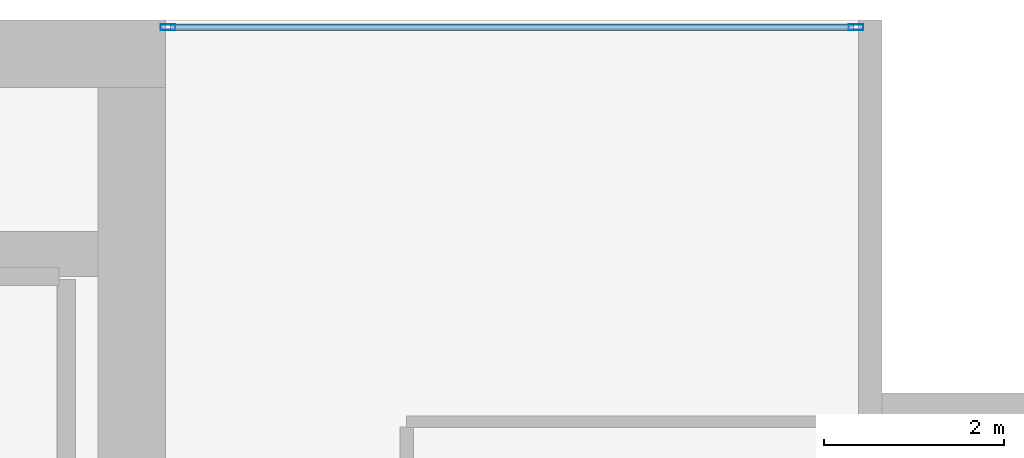
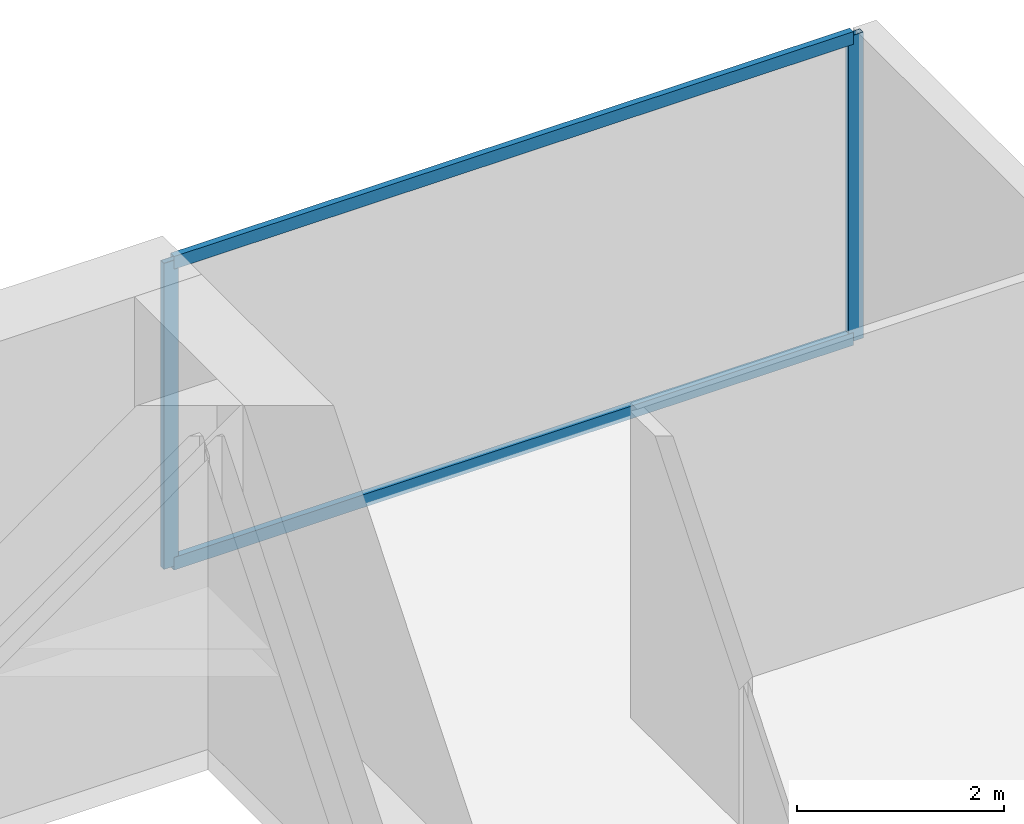
# One storey, part 25 of 34: 4 members, 1 element without a shape of its own.
"""IFC4 building model written with IfcOpenShell, lengths in metres."""

from ifc_helpers import new_model, si_unit, direction, frame, origin, origin_2d, place, context, subcontext, project, spatial, hollow_rectangle, extrude, material, layer, layer_set, material_profile, profile_set, type_object, element, aggregate, save


model = new_model("IFC4")

# Units and contexts
model_context = context("Model", 3, precision=1e-05, world=origin(), true_north=direction((0.0, 1.0)))
body_context = subcontext(model_context, "Body", "Model", "MODEL_VIEW")
ifc_project = project(units=[si_unit("LENGTHUNIT", "METRE"), si_unit("AREAUNIT", "SQUARE_METRE"), si_unit("VOLUMEUNIT", "CUBIC_METRE"), si_unit("PLANEANGLEUNIT", "RADIAN"), si_unit("MASSUNIT", "GRAM", prefix="KILO")], contexts=[model_context])

# Site, building, storey
site_placement = place(None, origin())
site = spatial("IfcSite", under=ifc_project, at=site_placement, CompositionType="ELEMENT")
building_placement = place(site_placement, origin())
building = spatial("IfcBuilding", under=site, at=building_placement, Name="Maruvema Waterfront Hotel and Observation Tower", CompositionType="ELEMENT")
storey_placement = place(building_placement, frame((0.0, 0.0, 131.25)))
storey = spatial("IfcBuildingStorey", under=building, at=storey_placement, Name="L31", CompositionType="ELEMENT", Elevation=131.25)

# Curtain wall, members
ifc_material_1 = material(Name="Anodised bronze aluminium and solar-control low-E IGU", Category="aluminium")
ifc_layer = layer(ifc_material_1, 0.159912109375, Name="Zone 2 Amber Inner Thermal Curtain Wall System CW-03")
ifc_layer_set = layer_set([ifc_layer], Name="Anodised bronze aluminium and solar-control low-E IGU")
curtain_wall_type = type_object("IfcCurtainWallType", Name="Zone 2 Amber Inner Thermal Curtain Wall System CW-03", PredefinedType="USERDEFINED", material=ifc_layer_set)
curtain_wall_placement = place(storey_placement, origin())
curtain_wall = element("IfcCurtainWall", 1, at=curtain_wall_placement, inside=storey, type_object=curtain_wall_type, Name="L31 Curtain Wall CW-L31-NE", ObjectType="UNITISED CURTAIN WALL", PredefinedType="USERDEFINED")
ifc_material_2 = material(Name="Anodised architectural bronze aluminium", Category="aluminium")
ifc_material_profile_1 = material_profile(ifc_material_2, hollow_rectangle(XDim=0.070068359375, YDim=0.14990234375, WallThickness=0.00390625, at=origin_2d()), Name="ALU-T70x150")
ifc_profile_set_1 = profile_set([ifc_material_profile_1], Name="Anodised architectural bronze aluminium")
member_type_1 = type_object("IfcMemberType", Name="Curtain Wall Horizontal Transom ALU-T70x150", PredefinedType="USERDEFINED", material=ifc_profile_set_1)
member_1_placement = place(storey_placement, frame((58.0400390625, 53.919921875, 0.030029296875), z_axis=(-1.0, 0.0, 0.0), x_axis=(0.0, -1.0, 0.0)))
member_1 = element("IfcMember", 2, at=member_1_placement, type_object=member_type_1, Name="CW-03 transom 1.1", ObjectType="TRANSOM", PredefinedType="USERDEFINED", context=body_context, shape_type="SweptSolid", body=[
    extrude(hollow_rectangle(XDim=0.070068359375, YDim=0.14990234375, WallThickness=0.00390625, at=origin_2d()), origin(), (0.0, 0.0, 1.0), 7.580078125),
])
member_2_placement = place(storey_placement, frame((58.0400390625, 53.919921875, 3.580078125), z_axis=(-1.0, 0.0, 0.0), x_axis=(0.0, -1.0, 0.0)))
member_2 = element("IfcMember", 3, at=member_2_placement, type_object=member_type_1, Name="CW-03 transom 1.2", ObjectType="TRANSOM", PredefinedType="USERDEFINED", context=body_context, shape_type="SweptSolid", body=[
    extrude(hollow_rectangle(XDim=0.070068359375, YDim=0.14990234375, WallThickness=0.00390625, at=origin_2d()), origin(), (0.0, 0.0, 1.0), 7.580078125),
])
ifc_material_3 = material(Name="Anodised architectural bronze aluminium", Category="aluminium")
ifc_material_profile_2 = material_profile(ifc_material_3, hollow_rectangle(XDim=0.06494140625, YDim=0.1650390625, WallThickness=0.00390625, at=origin_2d()), Name="ALU-M65x165")
ifc_profile_set_2 = profile_set([ifc_material_profile_2], Name="Anodised architectural bronze aluminium")
member_type_2 = type_object("IfcMemberType", Name="Curtain Wall Primary Mullion ALU-M65x165", PredefinedType="MULLION", material=ifc_profile_set_2)
member_3_placement = place(storey_placement, frame((58.070068359375, 53.919921875, 0.0), z_axis=(0.0, 0.0, 1.0), x_axis=(0.0, -1.0, 0.0)))
member_3 = element("IfcMember", 4, at=member_3_placement, type_object=member_type_2, Name="CW-03 mullion 1", PredefinedType="MULLION", context=body_context, shape_type="SweptSolid", body=[
    extrude(hollow_rectangle(XDim=0.06494140625, YDim=0.1650390625, WallThickness=0.00390625, at=origin_2d()), origin(), (0.0, 0.0, 1.0), 3.610107421875),
])
member_4_placement = place(storey_placement, frame((50.429931640625, 53.919921875, 0.0), z_axis=(0.0, 0.0, 1.0), x_axis=(0.0, -1.0, 0.0)))
member_4 = element("IfcMember", 5, at=member_4_placement, type_object=member_type_2, Name="CW-03 mullion 2", PredefinedType="MULLION", context=body_context, shape_type="SweptSolid", body=[
    extrude(hollow_rectangle(XDim=0.06494140625, YDim=0.1650390625, WallThickness=0.00390625, at=origin_2d()), origin(), (0.0, 0.0, 1.0), 3.610107421875),
])
aggregate(curtain_wall, [member_3, member_4, member_1, member_2])

save(model, "model.ifc")
